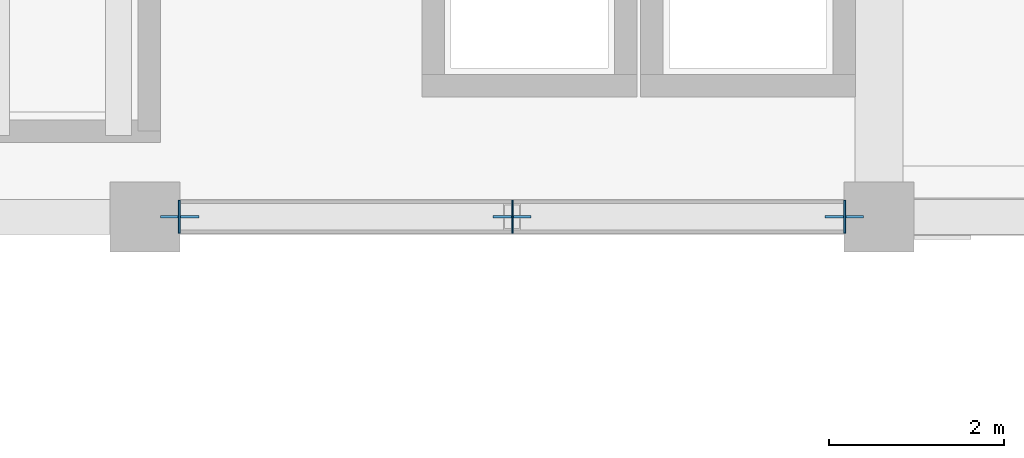
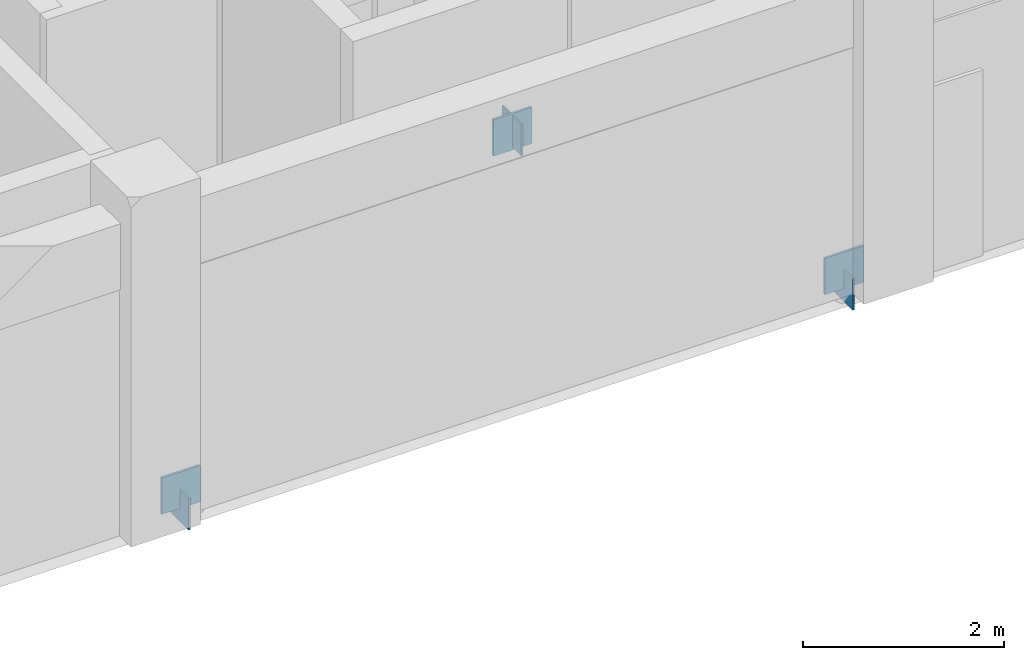
# One storey, part 71 of 132: 6 plates.
"""IFC4 building model written with IfcOpenShell, lengths in metres."""

import ifcopenshell
import ifcopenshell.guid

model = None  # the IFC model being written
_history = None  # IfcOwnerHistory: only IFC2X3 demands one
_inside = {}  # id of a spatial element -> (the spatial element, [elements in it])
_under = {}  # id of a project, library or spatial element -> (it, [spatial elements below it])
_declared = {}  # id of a project -> (the project, [libraries it declares])
_typed = {}  # id of a type object -> (the type object, [elements of that type])
_made_of = {}  # id of a material, layer set ... -> (it, [elements and type objects made of it])


def new_model(schema):
    """Start an empty IFC model of exactly this schema.

    Asked for "IFC4X3", IfcOpenShell would pick the latest addendum, in which some entities
    have other attributes; the version numbers below select the first issue.
    IFC2X3 requires an IfcOwnerHistory on every rooted entity: one is made here for all.
    """
    global model, _history
    if schema == "IFC4X3":
        model = ifcopenshell.file(schema_version=(4, 3, 0, 0))
    else:
        model = ifcopenshell.file(schema=schema)
    _inside.clear()
    _under.clear()
    _declared.clear()
    _typed.clear()
    _made_of.clear()
    _history = None
    if model.schema == "IFC2X3":
        org = make("IfcOrganization", Name="unknown")
        user = make(
            "IfcPersonAndOrganization",
            ThePerson=make("IfcPerson", FamilyName="unknown"),
            TheOrganization=org,
        )
        app = make(
            "IfcApplication",
            ApplicationDeveloper=org,
            Version="unknown",
            ApplicationFullName="unknown",
            ApplicationIdentifier="unknown",
        )
        _history = make(
            "IfcOwnerHistory",
            OwningUser=user,
            OwningApplication=app,
            ChangeAction="ADDED",
            CreationDate=0,
        )
    return model


def make(cls, **values):
    """One entity of the class cls with the attributes given. An attribute that is None is left unset."""
    return model.create_entity(
        cls, **{name: value for name, value in values.items() if value is not None}
    )


def rooted(cls, **values):
    """An entity with a GlobalId (a new one), such as an element, a storey or a relation."""
    return make(cls, GlobalId=ifcopenshell.guid.new(), OwnerHistory=_history, **values)


def si_unit(unit_type, name, prefix=None):
    """IfcSIUnit, for example si_unit("LENGTHUNIT", "METRE", prefix="MILLI")."""
    return make("IfcSIUnit", UnitType=unit_type, Prefix=prefix, Name=name)


def assignment(units):
    """IfcUnitAssignment: the units of a project."""
    return None if units is None else make("IfcUnitAssignment", Units=units)


def point(xyz):
    """IfcCartesianPoint."""
    return None if xyz is None else make("IfcCartesianPoint", Coordinates=xyz)


def direction(xyz):
    """IfcDirection."""
    return None if xyz is None else make("IfcDirection", DirectionRatios=xyz)


def frame(location, z_axis=None, x_axis=None):
    """IfcAxis2Placement3D, a coordinate frame: its origin and axes. An axis left out is left unset."""
    return make(
        "IfcAxis2Placement3D",
        Location=point(location),
        Axis=direction(z_axis),
        RefDirection=direction(x_axis),
    )


def frame_2d(location, x_axis=None):
    """IfcAxis2Placement2D, a coordinate frame in the plane: its origin and x axis."""
    return make(
        "IfcAxis2Placement2D", Location=point(location), RefDirection=direction(x_axis)
    )


def origin():
    """The frame at (0, 0, 0) with its axes left unset."""
    return frame((0.0, 0.0, 0.0))


def origin_2d():
    """The frame at (0, 0) in the plane with its x axis left unset."""
    return frame_2d((0.0, 0.0))


def place(relative_to, where):
    """IfcLocalPlacement: puts the frame where relative to a parent placement (None: the world)."""
    return make(
        "IfcLocalPlacement", PlacementRelTo=relative_to, RelativePlacement=where
    )


def context(
    kind, dimensions, precision=None, world=None, true_north=None, identifier=None
):
    """IfcGeometricRepresentationContext, for example the 3D "Model" context."""
    return make(
        "IfcGeometricRepresentationContext",
        ContextIdentifier=identifier,
        ContextType=kind,
        CoordinateSpaceDimension=dimensions,
        Precision=precision,
        WorldCoordinateSystem=world,
        TrueNorth=true_north,
    )


def subcontext(parent, identifier, kind, view, scale=None):
    """IfcGeometricRepresentationSubContext, for example "Body" below "Model"."""
    return make(
        "IfcGeometricRepresentationSubContext",
        ContextIdentifier=identifier,
        ContextType=kind,
        ParentContext=parent,
        TargetScale=scale,
        TargetView=view,
    )


def project(units=None, contexts=None):
    """IfcProject with its units and contexts."""
    return rooted(
        "IfcProject",
        Name="project",
        RepresentationContexts=contexts,
        UnitsInContext=assignment(units),
    )


def spatial(cls, under=None, at=None, **own):
    """A site, building, storey or space (cls), placed at a placement, below another one or the project."""
    s = rooted(cls, ObjectPlacement=at, **own)
    if under is not None:
        _under.setdefault(under.id(), (under, []))[1].append(s)
    return s


def profile(cls, at=None, kind="AREA", **sizes):
    """A parametric profile (cls). Its sizes go by their IFC names, for example OverallWidth=200.0."""
    return make(cls, ProfileType=kind, Position=at, **sizes)


def rectangle(**sizes):
    """IfcRectangleProfileDef."""
    return profile("IfcRectangleProfileDef", **sizes)


def extrude(swept, where, along, depth):
    """IfcExtrudedAreaSolid: the profile swept, set in the frame where, extruded along a direction by depth."""
    return make(
        "IfcExtrudedAreaSolid",
        SweptArea=swept,
        Position=where,
        ExtrudedDirection=direction(along),
        Depth=depth,
    )


def shape(context_of_items, identifier, shape_type, items):
    """IfcShapeRepresentation: the items that make up one representation, for example the "Body"."""
    return make(
        "IfcShapeRepresentation",
        ContextOfItems=context_of_items,
        RepresentationIdentifier=identifier,
        RepresentationType=shape_type,
        Items=items,
    )


def material(Name=None, Category=None):
    """IfcMaterial."""
    return make("IfcMaterial", Name=Name, Category=Category)


def layer(
    of_material, thickness, ventilated=None, Name=None, Category=None, Priority=None
):
    """IfcMaterialLayer: one layer of a wall or slab, of a material (None: an air gap)."""
    return make(
        "IfcMaterialLayer",
        Material=of_material,
        LayerThickness=thickness,
        IsVentilated=ventilated,
        Name=Name,
        Category=Category,
        Priority=Priority,
    )


def layer_set(layers, Name=None):
    """IfcMaterialLayerSet."""
    return make("IfcMaterialLayerSet", MaterialLayers=layers, LayerSetName=Name)


def made_of(thing, what):
    """Note that an element or type object is made of a material, layer set ...; save() writes the relation."""
    if what is not None:
        _made_of.setdefault(what.id(), (what, []))[1].append(thing)
    return thing


def type_object(cls, material=None, **own):
    """A type object (cls), such as IfcWallType, which elements share."""
    return made_of(rooted(cls, **own), material)


def element(
    cls,
    number,
    at=None,
    inside=None,
    cuts=None,
    type_object=None,
    material=None,
    context=None,
    identifier="Body",
    shape_type=None,
    held_by="IfcProductDefinitionShape",
    body=None,
    shapes=None,
    **own,
):
    """One element of the class cls, such as IfcWall. Its Tag is "e" and its number.

    at: its placement. inside: the storey or other place that contains it. cuts: it is an
    opening in that element (IfcRelVoidsElement). A single representation is given by context,
    identifier, shape_type and body (its items); several are given by shapes. held_by: the class
    of the entity that holds the representations. save() writes the other relations.
    """
    e = rooted(cls, Tag="e%d" % number, ObjectPlacement=at, **own)
    if body is not None:
        shapes = [shape(context, identifier, shape_type, body)]
    if shapes is not None:
        e.Representation = make(held_by, Representations=shapes)
    if inside is not None:
        _inside.setdefault(inside.id(), (inside, []))[1].append(e)
    if cuts is not None:
        rooted(
            "IfcRelVoidsElement", RelatingBuildingElement=cuts, RelatedOpeningElement=e
        )
    if type_object is not None:
        _typed.setdefault(type_object.id(), (type_object, []))[1].append(e)
    return made_of(e, material)


def aggregate(whole, parts):
    """IfcRelAggregates: a whole, such as a stair, and the parts it consists of."""
    return rooted("IfcRelAggregates", RelatingObject=whole, RelatedObjects=parts)


def save(model, path):
    """Write the relations noted so far, then the file.

    IfcRelAggregates (storeys below a building ...), IfcRelContainedInSpatialStructure (elements
    in a storey), IfcRelDefinesByType, IfcRelAssociatesMaterial and IfcRelDeclares: one each for
    every whole, place, type object, material and project.
    """
    for whole, parts in _under.values():
        aggregate(whole, parts)
    for where, things in _inside.values():
        rooted(
            "IfcRelContainedInSpatialStructure",
            RelatedElements=things,
            RelatingStructure=where,
        )
    for kind, things in _typed.values():
        rooted("IfcRelDefinesByType", RelatedObjects=things, RelatingType=kind)
    for what, things in _made_of.values():
        rooted("IfcRelAssociatesMaterial", RelatedObjects=things, RelatingMaterial=what)
    for by, libraries in _declared.values():
        rooted("IfcRelDeclares", RelatingContext=by, RelatedDefinitions=libraries)
    model.write(path)


model = new_model("IFC4")

# Units and contexts
model_context = context("Model", 3, precision=1e-05, world=origin(), true_north=direction((0.0, 1.0)))
body_context = subcontext(model_context, "Body", "Model", "MODEL_VIEW")
ifc_project = project(units=[si_unit("LENGTHUNIT", "METRE"), si_unit("AREAUNIT", "SQUARE_METRE"), si_unit("VOLUMEUNIT", "CUBIC_METRE"), si_unit("PLANEANGLEUNIT", "RADIAN"), si_unit("MASSUNIT", "GRAM", prefix="KILO")], contexts=[model_context])

# Site, building, storey
site_placement = place(None, origin())
site = spatial("IfcSite", under=ifc_project, at=site_placement, CompositionType="ELEMENT")
building_placement = place(site_placement, origin())
building = spatial("IfcBuilding", under=site, at=building_placement, Name="Cumbredor Promenade Congress Hotel", CompositionType="ELEMENT")
storey_placement = place(building_placement, frame((0.0, 0.0, 7.56005859375)))
storey = spatial("IfcBuildingStorey", under=building, at=storey_placement, Name="L02", CompositionType="ELEMENT", Elevation=7.56005859375)

# Plates
ifc_material = material(Name="Steel ASTM A572 Grade 50", Category="steel")
ifc_layer_1 = layer(ifc_material, 0.02001953125, Name="Steel ASTM A572 Grade 50", Category="steel")
ifc_layer_set_1 = layer_set([ifc_layer_1], Name="Steel ASTM A572 Grade 50")
plate_type_1 = type_object("IfcPlateType", Name="Hollow Section End Cap Plate CP-04", PredefinedType="USERDEFINED", material=ifc_layer_set_1)
for number, where, z_axis, x_axis, name in (
    (1, (17.19384765625, 8.39990234375, -0.195068359375), (0.0, 0.0, 1.0), (1.0, 0.0, 0.0), "L02 Chevron Seismic Brace 17A Start Cap Plate"),
    (2, (21.006103515625, 8.39990234375, 3.005126953125), (0.0, 0.0, 1.0), (1.0, 0.0, 0.0), "L02 Chevron Seismic Brace 17A End Cap Plate"),
    (3, (24.80615234375, 8.39990234375, -0.195068359375), (0.0, 0.0, 1.0), (-1.0, 0.0, 0.0), "L02 Chevron Seismic Brace 17B Start Cap Plate"),
):
    element("IfcPlate", number, at=place(storey_placement, frame(where, z_axis=z_axis, x_axis=x_axis)), inside=storey, type_object=plate_type_1, Name=name, ObjectType="CAP PLATE", PredefinedType="USERDEFINED", context=body_context, shape_type="SweptSolid", body=[
        extrude(rectangle(XDim=0.02001953125, YDim=0.3798828125, at=origin_2d()), origin(), (0.0, 0.0, 1.0), 0.3798828125),
    ])
ifc_layer_2 = layer(ifc_material, 0.028076171875, Name="Steel ASTM A572 Grade 50", Category="steel")
ifc_layer_set_2 = layer_set([ifc_layer_2], Name="Steel ASTM A572 Grade 50")
plate_type_2 = type_object("IfcPlateType", Name="Space Frame Node Assembly ND-03", PredefinedType="USERDEFINED", material=ifc_layer_set_2)
for number, where, z_axis, x_axis, name in (
    (4, (17.199951171875, 8.39990234375, -0.0400390625), (0.0, 0.0, 1.0), (1.0, 0.0, 0.0), "L02 Seismic Frame Gusset Plate 17-BL"),
    (5, (24.800048828125, 8.39990234375, -0.0400390625), (0.0, 0.0, 1.0), (1.0, 0.0, 0.0), "L02 Seismic Frame Gusset Plate 17-BR"),
    (6, (21.0, 8.39990234375, 2.969970703125), (0.0, 0.0, 1.0), (1.0, 0.0, 0.0), "L02 Seismic Frame Gusset Plate 17-APX"),
):
    element("IfcPlate", number, at=place(storey_placement, frame(where, z_axis=z_axis, x_axis=x_axis)), inside=storey, type_object=plate_type_2, Name=name, ObjectType="GUSSET PLATE", PredefinedType="USERDEFINED", context=body_context, shape_type="SweptSolid", body=[
        extrude(rectangle(XDim=0.43994140625, YDim=0.028076171875, at=origin_2d()), origin(), (0.0, 0.0, 1.0), 0.43994140625),
    ])

save(model, "model.ifc")
